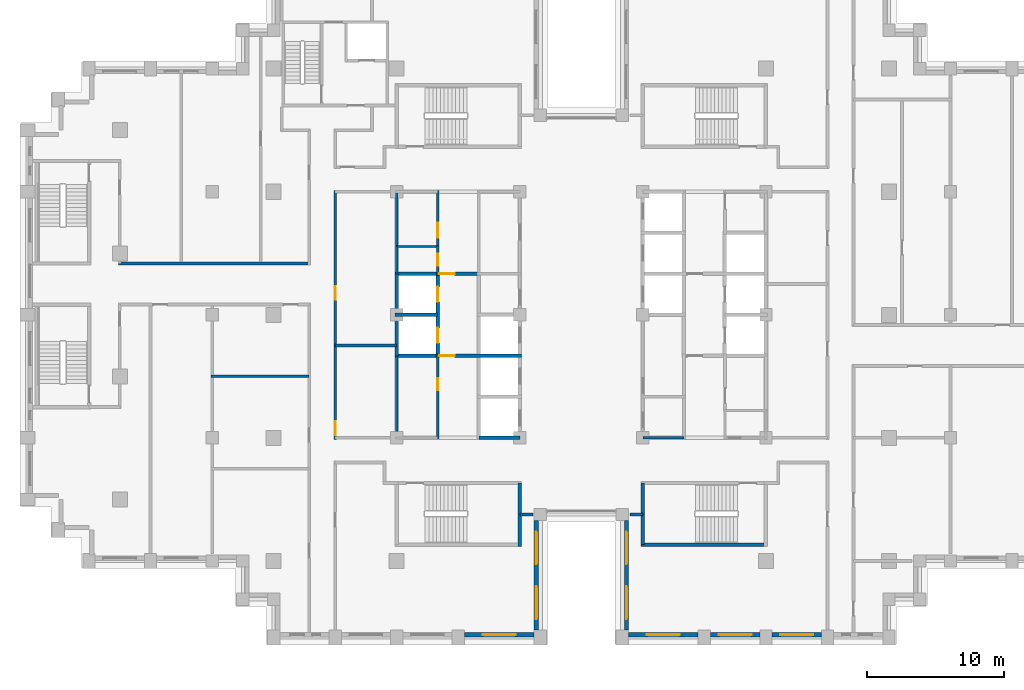
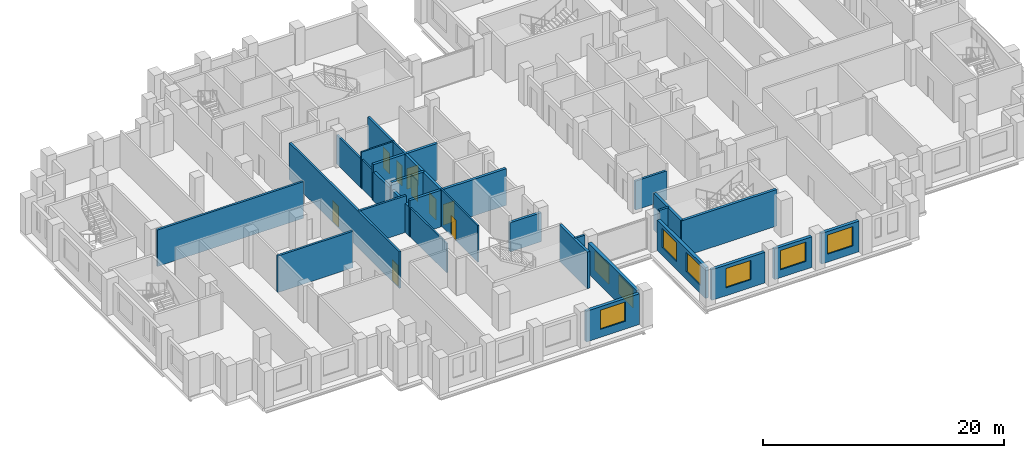
# One storey, part 7 of 16: 29 walls, 9 doors, 8 windows, 17 openings.
"""IFC4 building model written with IfcOpenShell, lengths in metres."""

from ifc_helpers import new_model, si_unit, direction, frame, frame_2d, origin, place, context, subcontext, project, spatial, rectangle, extrude, material, layer, layer_set, type_object, element, fill, save


model = new_model("IFC4")

# Units and contexts
model_context = context("Model", 3, precision=1e-05, world=origin(), true_north=direction((0.0, 1.0)))
body_context = subcontext(model_context, "Body", "Model", "MODEL_VIEW")
ifc_project = project(units=[si_unit("LENGTHUNIT", "METRE"), si_unit("AREAUNIT", "SQUARE_METRE"), si_unit("VOLUMEUNIT", "CUBIC_METRE"), si_unit("PLANEANGLEUNIT", "RADIAN"), si_unit("MASSUNIT", "GRAM", prefix="KILO")], contexts=[model_context])

# Site, building, storey
site_placement = place(None, origin())
site = spatial("IfcSite", under=ifc_project, at=site_placement, CompositionType="ELEMENT")
building_placement = place(site_placement, origin())
building = spatial("IfcBuilding", under=site, at=building_placement, Name="Corbelhall Arena Tower", CompositionType="ELEMENT")
storey_placement = place(building_placement, frame((0.0, 0.0, 150.0)))
storey = spatial("IfcBuildingStorey", under=building, at=storey_placement, Name="L29", CompositionType="ELEMENT", Elevation=150.0)

# Wall, opening, window
ifc_material_1 = material(Name="Precast concrete C40/50 with granite facing", Category="masonry")
ifc_layer_1 = layer(ifc_material_1, 0.300048828125)
ifc_layer_set_1 = layer_set([ifc_layer_1], Name="EV-IW1 Infill panel 300")
wall_type_1 = type_object("IfcWallType", Name="EV-IW1 Infill panel 300", PredefinedType="SOLIDWALL", material=ifc_layer_set_1)
wall_1_placement = place(storey_placement, frame((-8.550048828125, -23.39990234375, 0.0), z_axis=(0.0, 0.0, 1.0), x_axis=(1.0, 0.0, 0.0)))
wall_1 = element("IfcWall", 1, at=wall_1_placement, inside=storey, type_object=wall_type_1, Name="Infill panel IW1", PredefinedType="SOLIDWALL", context=body_context, shape_type="SweptSolid", body=[
    extrude(rectangle(XDim=5.10009765625, YDim=0.300048828125, at=frame_2d((2.550048828125, 0.0))), origin(), (0.0, 0.0, 1.0), 3.10009765625),
])
opening_1_placement = place(wall_1_placement, frame((1.35009765625, 0.0, 0.800048828125)))
opening_1 = element("IfcOpeningElement", 2, at=opening_1_placement, cuts=wall_1, Name="Opening WN1", PredefinedType="OPENING", context=body_context, shape_type="SweptSolid", body=[
    extrude(rectangle(XDim=2.39990234375, YDim=1.949951171875, at=frame_2d((1.199951171875, 0.97509765625))), frame((0.0, 0.14990234375, 0.0), z_axis=(0.0, -1.0, 0.0), x_axis=(1.0, 0.0, 0.0)), (0.0, 0.0, 1.0), 0.300048828125),
])
ifc_material_2 = material(Name="Aluminium black anodised", Category="aluminium")
window_type = type_object("IfcWindowType", Name="EV-WN1 Office window", PartitioningType="SINGLE_PANEL", PredefinedType="WINDOW", material=ifc_material_2)
window_1_placement = place(opening_1_placement, origin())
window_1 = element("IfcWindow", 3, at=window_1_placement, inside=storey, type_object=window_type, Name="Window WN1", OverallHeight=1.949951171875, OverallWidth=2.39990234375, PartitioningType="SINGLE_PANEL", PredefinedType="WINDOW", context=body_context, shape_type="SweptSolid", body=[
    extrude(rectangle(XDim=2.39990234375, YDim=1.949951171875, at=frame_2d((1.199951171875, 0.97509765625))), frame((0.0, 0.030029296875, 0.0), z_axis=(0.0, -1.0, 0.0), x_axis=(1.0, 0.0, 0.0)), (0.0, 0.0, 1.0), 0.06005859375),
])
fill(opening_1, window_1)

# Wall, openings, windows
wall_2_placement = place(storey_placement, frame((-3.300048828125, -23.050048828125, 0.0), z_axis=(0.0, 0.0, 1.0), x_axis=(0.0, 1.0, 0.0)))
wall_2 = element("IfcWall", 4, at=wall_2_placement, inside=storey, type_object=wall_type_1, Name="Infill panel IW1", PredefinedType="SOLIDWALL", context=body_context, shape_type="SweptSolid", body=[
    extrude(rectangle(XDim=8.0, YDim=0.300048828125, at=frame_2d((4.0, 0.0))), origin(), (0.0, 0.0, 1.0), 3.10009765625),
])
opening_2_placement = place(wall_2_placement, frame((0.800048828125, 0.0, 0.800048828125)))
opening_2 = element("IfcOpeningElement", 5, at=opening_2_placement, cuts=wall_2, Name="Opening WN1", PredefinedType="OPENING", context=body_context, shape_type="SweptSolid", body=[
    extrude(rectangle(XDim=2.39990234375, YDim=1.949951171875, at=frame_2d((1.199951171875, 0.97509765625))), frame((0.0, 0.14990234375, 0.0), z_axis=(0.0, -1.0, 0.0), x_axis=(1.0, 0.0, 0.0)), (0.0, 0.0, 1.0), 0.300048828125),
])
opening_3_placement = place(wall_2_placement, frame((4.800048828125, 0.0, 0.800048828125)))
opening_3 = element("IfcOpeningElement", 6, at=opening_3_placement, cuts=wall_2, Name="Opening WN1", PredefinedType="OPENING", context=body_context, shape_type="SweptSolid", body=[
    extrude(rectangle(XDim=2.39990234375, YDim=1.949951171875, at=frame_2d((1.199951171875, 0.97509765625))), frame((0.0, 0.14990234375, 0.0), z_axis=(0.0, -1.0, 0.0), x_axis=(1.0, 0.0, 0.0)), (0.0, 0.0, 1.0), 0.300048828125),
])
window_2_placement = place(opening_2_placement, origin())
window_2 = element("IfcWindow", 7, at=window_2_placement, inside=storey, type_object=window_type, Name="Window WN1", OverallHeight=1.949951171875, OverallWidth=2.39990234375, PartitioningType="SINGLE_PANEL", PredefinedType="WINDOW", context=body_context, shape_type="SweptSolid", body=[
    extrude(rectangle(XDim=2.39990234375, YDim=1.949951171875, at=frame_2d((1.199951171875, 0.97509765625))), frame((0.0, 0.030029296875, 0.0), z_axis=(0.0, -1.0, 0.0), x_axis=(1.0, 0.0, 0.0)), (0.0, 0.0, 1.0), 0.06005859375),
])
fill(opening_2, window_2)
window_3_placement = place(opening_3_placement, origin())
window_3 = element("IfcWindow", 8, at=window_3_placement, inside=storey, type_object=window_type, Name="Window WN1", OverallHeight=1.949951171875, OverallWidth=2.39990234375, PartitioningType="SINGLE_PANEL", PredefinedType="WINDOW", context=body_context, shape_type="SweptSolid", body=[
    extrude(rectangle(XDim=2.39990234375, YDim=1.949951171875, at=frame_2d((1.199951171875, 0.97509765625))), frame((0.0, 0.030029296875, 0.0), z_axis=(0.0, -1.0, 0.0), x_axis=(1.0, 0.0, 0.0)), (0.0, 0.0, 1.0), 0.06005859375),
])
fill(opening_3, window_3)

wall_3_placement = place(storey_placement, frame((3.300048828125, -15.050048828125, 0.0), z_axis=(0.0, 0.0, 1.0), x_axis=(0.0, -1.0, 0.0)))
wall_3 = element("IfcWall", 9, at=wall_3_placement, inside=storey, type_object=wall_type_1, Name="Infill panel IW1", PredefinedType="SOLIDWALL", context=body_context, shape_type="SweptSolid", body=[
    extrude(rectangle(XDim=8.0, YDim=0.300048828125, at=frame_2d((4.0, 0.0))), origin(), (0.0, 0.0, 1.0), 3.10009765625),
])
opening_4_placement = place(wall_3_placement, frame((0.800048828125, 0.0, 0.800048828125)))
opening_4 = element("IfcOpeningElement", 10, at=opening_4_placement, cuts=wall_3, Name="Opening WN1", PredefinedType="OPENING", context=body_context, shape_type="SweptSolid", body=[
    extrude(rectangle(XDim=2.39990234375, YDim=1.949951171875, at=frame_2d((1.199951171875, 0.97509765625))), frame((0.0, 0.14990234375, 0.0), z_axis=(0.0, -1.0, 0.0), x_axis=(1.0, 0.0, 0.0)), (0.0, 0.0, 1.0), 0.300048828125),
])
opening_5_placement = place(wall_3_placement, frame((4.800048828125, 0.0, 0.800048828125)))
opening_5 = element("IfcOpeningElement", 11, at=opening_5_placement, cuts=wall_3, Name="Opening WN1", PredefinedType="OPENING", context=body_context, shape_type="SweptSolid", body=[
    extrude(rectangle(XDim=2.39990234375, YDim=1.949951171875, at=frame_2d((1.199951171875, 0.97509765625))), frame((0.0, 0.14990234375, 0.0), z_axis=(0.0, -1.0, 0.0), x_axis=(1.0, 0.0, 0.0)), (0.0, 0.0, 1.0), 0.300048828125),
])
window_4_placement = place(opening_4_placement, origin())
window_4 = element("IfcWindow", 12, at=window_4_placement, inside=storey, type_object=window_type, Name="Window WN1", OverallHeight=1.949951171875, OverallWidth=2.39990234375, PartitioningType="SINGLE_PANEL", PredefinedType="WINDOW", context=body_context, shape_type="SweptSolid", body=[
    extrude(rectangle(XDim=2.39990234375, YDim=1.949951171875, at=frame_2d((1.199951171875, 0.97509765625))), frame((0.0, 0.030029296875, 0.0), z_axis=(0.0, -1.0, 0.0), x_axis=(1.0, 0.0, 0.0)), (0.0, 0.0, 1.0), 0.06005859375),
])
fill(opening_4, window_4)
window_5_placement = place(opening_5_placement, origin())
window_5 = element("IfcWindow", 13, at=window_5_placement, inside=storey, type_object=window_type, Name="Window WN1", OverallHeight=1.949951171875, OverallWidth=2.39990234375, PartitioningType="SINGLE_PANEL", PredefinedType="WINDOW", context=body_context, shape_type="SweptSolid", body=[
    extrude(rectangle(XDim=2.39990234375, YDim=1.949951171875, at=frame_2d((1.199951171875, 0.97509765625))), frame((0.0, 0.030029296875, 0.0), z_axis=(0.0, -1.0, 0.0), x_axis=(1.0, 0.0, 0.0)), (0.0, 0.0, 1.0), 0.06005859375),
])
fill(opening_5, window_5)

# Wall, opening, window
wall_4_placement = place(storey_placement, frame((3.449951171875, -23.39990234375, 0.0), z_axis=(0.0, 0.0, 1.0), x_axis=(1.0, 0.0, 0.0)))
wall_4 = element("IfcWall", 14, at=wall_4_placement, inside=storey, type_object=wall_type_1, Name="Infill panel IW1", PredefinedType="SOLIDWALL", context=body_context, shape_type="SweptSolid", body=[
    extrude(rectangle(XDim=5.10009765625, YDim=0.300048828125, at=frame_2d((2.550048828125, 0.0))), origin(), (0.0, 0.0, 1.0), 3.10009765625),
])
opening_6_placement = place(wall_4_placement, frame((1.35009765625, 0.0, 0.800048828125)))
opening_6 = element("IfcOpeningElement", 15, at=opening_6_placement, cuts=wall_4, Name="Opening WN1", PredefinedType="OPENING", context=body_context, shape_type="SweptSolid", body=[
    extrude(rectangle(XDim=2.39990234375, YDim=1.949951171875, at=frame_2d((1.199951171875, 0.97509765625))), frame((0.0, 0.14990234375, 0.0), z_axis=(0.0, -1.0, 0.0), x_axis=(1.0, 0.0, 0.0)), (0.0, 0.0, 1.0), 0.300048828125),
])
window_6_placement = place(opening_6_placement, origin())
window_6 = element("IfcWindow", 16, at=window_6_placement, inside=storey, type_object=window_type, Name="Window WN1", OverallHeight=1.949951171875, OverallWidth=2.39990234375, PartitioningType="SINGLE_PANEL", PredefinedType="WINDOW", context=body_context, shape_type="SweptSolid", body=[
    extrude(rectangle(XDim=2.39990234375, YDim=1.949951171875, at=frame_2d((1.199951171875, 0.97509765625))), frame((0.0, 0.030029296875, 0.0), z_axis=(0.0, -1.0, 0.0), x_axis=(1.0, 0.0, 0.0)), (0.0, 0.0, 1.0), 0.06005859375),
])
fill(opening_6, window_6)

wall_5_placement = place(storey_placement, frame((9.449951171875, -23.39990234375, 0.0), z_axis=(0.0, 0.0, 1.0), x_axis=(1.0, 0.0, 0.0)))
wall_5 = element("IfcWall", 17, at=wall_5_placement, inside=storey, type_object=wall_type_1, Name="Infill panel IW1", PredefinedType="SOLIDWALL", context=body_context, shape_type="SweptSolid", body=[
    extrude(rectangle(XDim=3.60009765625, YDim=0.300048828125, at=frame_2d((1.800048828125, 0.0))), origin(), (0.0, 0.0, 1.0), 3.10009765625),
])
opening_7_placement = place(wall_5_placement, frame((0.60009765625, 0.0, 0.800048828125)))
opening_7 = element("IfcOpeningElement", 18, at=opening_7_placement, cuts=wall_5, Name="Opening WN1", PredefinedType="OPENING", context=body_context, shape_type="SweptSolid", body=[
    extrude(rectangle(XDim=2.39990234375, YDim=1.949951171875, at=frame_2d((1.199951171875, 0.97509765625))), frame((0.0, 0.14990234375, 0.0), z_axis=(0.0, -1.0, 0.0), x_axis=(1.0, 0.0, 0.0)), (0.0, 0.0, 1.0), 0.300048828125),
])
window_7_placement = place(opening_7_placement, origin())
window_7 = element("IfcWindow", 19, at=window_7_placement, inside=storey, type_object=window_type, Name="Window WN1", OverallHeight=1.949951171875, OverallWidth=2.39990234375, PartitioningType="SINGLE_PANEL", PredefinedType="WINDOW", context=body_context, shape_type="SweptSolid", body=[
    extrude(rectangle(XDim=2.39990234375, YDim=1.949951171875, at=frame_2d((1.199951171875, 0.97509765625))), frame((0.0, 0.030029296875, 0.0), z_axis=(0.0, -1.0, 0.0), x_axis=(1.0, 0.0, 0.0)), (0.0, 0.0, 1.0), 0.06005859375),
])
fill(opening_7, window_7)

wall_6_placement = place(storey_placement, frame((13.949951171875, -23.39990234375, 0.0), z_axis=(0.0, 0.0, 1.0), x_axis=(1.0, 0.0, 0.0)))
wall_6 = element("IfcWall", 20, at=wall_6_placement, inside=storey, type_object=wall_type_1, Name="Infill panel IW1", PredefinedType="SOLIDWALL", context=body_context, shape_type="SweptSolid", body=[
    extrude(rectangle(XDim=3.60009765625, YDim=0.300048828125, at=frame_2d((1.800048828125, 0.0))), origin(), (0.0, 0.0, 1.0), 3.10009765625),
])
opening_8_placement = place(wall_6_placement, frame((0.60009765625, 0.0, 0.800048828125)))
opening_8 = element("IfcOpeningElement", 21, at=opening_8_placement, cuts=wall_6, Name="Opening WN1", PredefinedType="OPENING", context=body_context, shape_type="SweptSolid", body=[
    extrude(rectangle(XDim=2.39990234375, YDim=1.949951171875, at=frame_2d((1.199951171875, 0.97509765625))), frame((0.0, 0.14990234375, 0.0), z_axis=(0.0, -1.0, 0.0), x_axis=(1.0, 0.0, 0.0)), (0.0, 0.0, 1.0), 0.300048828125),
])
window_8_placement = place(opening_8_placement, origin())
window_8 = element("IfcWindow", 22, at=window_8_placement, inside=storey, type_object=window_type, Name="Window WN1", OverallHeight=1.949951171875, OverallWidth=2.39990234375, PartitioningType="SINGLE_PANEL", PredefinedType="WINDOW", context=body_context, shape_type="SweptSolid", body=[
    extrude(rectangle(XDim=2.39990234375, YDim=1.949951171875, at=frame_2d((1.199951171875, 0.97509765625))), frame((0.0, 0.030029296875, 0.0), z_axis=(0.0, -1.0, 0.0), x_axis=(1.0, 0.0, 0.0)), (0.0, 0.0, 1.0), 0.06005859375),
])
fill(opening_8, window_8)

# Walls
ifc_material_3 = material(Name="Gypsum board on steel stud, acoustic", Category="steel")
ifc_layer_2 = layer(ifc_material_3, 0.199951171875)
ifc_layer_set_2 = layer_set([ifc_layer_2], Name="IN-W-DM200")
wall_type_2 = type_object("IfcWallType", Name="IN-W-DM200", PredefinedType="PARTITIONING", material=ifc_layer_set_2)
wall_7_placement = place(storey_placement, frame((-33.85009765625, 3.75, 0.0), z_axis=(0.0, 0.0, 1.0), x_axis=(1.0, 0.0, 0.0)))
element("IfcWall", 23, at=wall_7_placement, inside=storey, type_object=wall_type_2, Name="Partition 002", PredefinedType="PARTITIONING", context=body_context, shape_type="SweptSolid", body=[
    extrude(rectangle(XDim=13.9501953125, YDim=0.199951171875, at=frame_2d((6.97509765625, 0.0))), origin(), (0.0, 0.0, 1.0), 3.699951171875),
])
wall_8_placement = place(storey_placement, frame((-27.10009765625, -4.5, 0.0), z_axis=(0.0, 0.0, 1.0), x_axis=(1.0, 0.0, 0.0)))
element("IfcWall", 24, at=wall_8_placement, inside=storey, type_object=wall_type_2, Name="Partition 010", PredefinedType="PARTITIONING", context=body_context, shape_type="SweptSolid", body=[
    extrude(rectangle(XDim=7.2001953125, YDim=0.199951171875, at=frame_2d((3.60009765625, 0.0))), origin(), (0.0, 0.0, 1.0), 3.699951171875),
])
wall_9_placement = place(storey_placement, frame((-18.0, -2.25, 0.0), z_axis=(0.0, 0.0, 1.0), x_axis=(1.0, 0.0, 0.0)))
element("IfcWall", 25, at=wall_9_placement, inside=storey, type_object=wall_type_2, Name="Partition 020", PredefinedType="PARTITIONING", context=body_context, shape_type="SweptSolid", body=[
    extrude(rectangle(XDim=4.5, YDim=0.199951171875, at=frame_2d((2.25, 0.0))), origin(), (0.0, 0.0, 1.0), 3.699951171875),
])

# Wall, openings, doors
wall_10_placement = place(storey_placement, frame((-18.0, 9.10009765625, 0.0), z_axis=(0.0, 0.0, 1.0), x_axis=(0.0, -1.0, 0.0)))
wall_10 = element("IfcWall", 26, at=wall_10_placement, inside=storey, type_object=wall_type_2, Name="Partition 021", PredefinedType="PARTITIONING", context=body_context, shape_type="SweptSolid", body=[
    extrude(rectangle(XDim=18.2001953125, YDim=0.199951171875, at=frame_2d((9.10009765625, 0.0))), origin(), (0.0, 0.0, 1.0), 3.699951171875),
])
opening_9_placement = place(wall_10_placement, frame((16.89990234375, 0.0, 0.0)))
opening_9 = element("IfcOpeningElement", 27, at=opening_9_placement, cuts=wall_10, Name="Opening 08023", PredefinedType="OPENING", context=body_context, shape_type="SweptSolid", body=[
    extrude(rectangle(XDim=1.0, YDim=2.10009765625, at=frame_2d((0.5, 1.050048828125))), frame((0.0, 0.10009765625, 0.0), z_axis=(0.0, -1.0, 0.0), x_axis=(1.0, 0.0, 0.0)), (0.0, 0.0, 1.0), 0.199951171875),
])
opening_10_placement = place(wall_10_placement, frame((7.0, 0.0, 0.0)))
opening_10 = element("IfcOpeningElement", 28, at=opening_10_placement, cuts=wall_10, Name="Opening 08024", PredefinedType="OPENING", context=body_context, shape_type="SweptSolid", body=[
    extrude(rectangle(XDim=1.0, YDim=2.10009765625, at=frame_2d((0.5, 1.050048828125))), frame((0.0, 0.10009765625, 0.0), z_axis=(0.0, -1.0, 0.0), x_axis=(1.0, 0.0, 0.0)), (0.0, 0.0, 1.0), 0.199951171875),
])
ifc_material_4 = material(Name="Steel door set", Category="steel")
door_type_1 = type_object("IfcDoorType", Name="IN-D-SW100", OperationType="NOTDEFINED", PredefinedType="DOOR", material=ifc_material_4)
door_1_placement = place(opening_9_placement, origin())
door_1 = element("IfcDoor", 29, at=door_1_placement, inside=storey, type_object=door_type_1, Name="Door 023", OperationType="SINGLE_SWING_RIGHT", OverallHeight=2.10009765625, OverallWidth=1.0, PredefinedType="DOOR", context=body_context, shape_type="SweptSolid", body=[
    extrude(rectangle(XDim=1.0, YDim=2.10009765625, at=frame_2d((0.5, 1.050048828125))), frame((0.0, 0.02490234375, 0.0), z_axis=(0.0, -1.0, 0.0), x_axis=(1.0, 0.0, 0.0)), (0.0, 0.0, 1.0), 0.050048828125),
])
fill(opening_9, door_1)
door_2_placement = place(opening_10_placement, origin())
door_2 = element("IfcDoor", 30, at=door_2_placement, inside=storey, type_object=door_type_1, Name="Door 024", OperationType="SINGLE_SWING_LEFT", OverallHeight=2.10009765625, OverallWidth=1.0, PredefinedType="DOOR", context=body_context, shape_type="SweptSolid", body=[
    extrude(rectangle(XDim=1.0, YDim=2.10009765625, at=frame_2d((0.5, 1.050048828125))), frame((0.0, 0.02490234375, 0.0), z_axis=(0.0, -1.0, 0.0), x_axis=(1.0, 0.0, 0.0)), (0.0, 0.0, 1.0), 0.050048828125),
])
fill(opening_10, door_2)

# Walls
for number, where, z_axis, x_axis, name in (
    (31, (-3.550048828125, -14.60009765625, 0.0), (0.0, 0.0, 1.0), (-1.0, 0.0, 0.0), "Partition 034"),
    (32, (4.5, -14.60009765625, 0.0), (0.0, 0.0, 1.0), (-1.0, 0.0, 0.0), "Partition 036"),
):
    element("IfcWall", number, at=place(storey_placement, frame(where, z_axis=z_axis, x_axis=x_axis)), inside=storey, type_object=wall_type_2, Name=name, PredefinedType="PARTITIONING", context=body_context, shape_type="SweptSolid", body=[
        extrude(rectangle(XDim=0.949951171875, YDim=0.199951171875, at=frame_2d((0.47509765625, 0.0))), origin(), (0.0, 0.0, 1.0), 3.699951171875),
    ])

# Wall, opening, door
ifc_material_5 = material(Name="Concrete block wall", Category="concrete")
ifc_layer_3 = layer(ifc_material_5, 0.199951171875)
ifc_layer_set_3 = layer_set([ifc_layer_3], Name="IN-W-RS200")
wall_type_3 = type_object("IfcWallType", Name="IN-W-RS200", PredefinedType="SOLIDWALL", material=ifc_layer_set_3)
wall_11_placement = place(storey_placement, frame((-10.5, 4.925048828125, 0.0), z_axis=(0.0, 0.0, 1.0), x_axis=(0.0, 1.0, 0.0)))
wall_11 = element("IfcWall", 33, at=wall_11_placement, inside=storey, type_object=wall_type_3, Name="Partition 066", PredefinedType="SOLIDWALL", context=body_context, shape_type="SweptSolid", body=[
    extrude(rectangle(XDim=4.175048828125, YDim=0.199951171875, at=frame_2d((2.08740234375, 0.0))), origin(), (0.0, 0.0, 1.0), 3.699951171875),
])
opening_11_placement = place(wall_11_placement, frame((0.699951171875, 0.0, 0.0)))
opening_11 = element("IfcOpeningElement", 34, at=opening_11_placement, cuts=wall_11, Name="Opening 08007", PredefinedType="OPENING", context=body_context, shape_type="SweptSolid", body=[
    extrude(rectangle(XDim=1.10009765625, YDim=2.10009765625, at=frame_2d((0.550048828125, 1.050048828125))), frame((0.0, 0.10009765625, 0.0), z_axis=(0.0, -1.0, 0.0), x_axis=(1.0, 0.0, 0.0)), (0.0, 0.0, 1.0), 0.199951171875),
])
door_type_2 = type_object("IfcDoorType", Name="IN-D-FD110", OperationType="NOTDEFINED", PredefinedType="DOOR", material=ifc_material_4)
door_3_placement = place(opening_11_placement, origin())
door_3 = element("IfcDoor", 35, at=door_3_placement, inside=storey, type_object=door_type_2, Name="Door 007", OperationType="SINGLE_SWING_RIGHT", OverallHeight=2.10009765625, OverallWidth=1.10009765625, PredefinedType="DOOR", context=body_context, shape_type="SweptSolid", body=[
    extrude(rectangle(XDim=1.10009765625, YDim=2.10009765625, at=frame_2d((0.550048828125, 1.050048828125))), frame((0.0, 0.02490234375, 0.0), z_axis=(0.0, -1.0, 0.0), x_axis=(1.0, 0.0, 0.0)), (0.0, 0.0, 1.0), 0.050048828125),
])
fill(opening_11, door_3)

# Walls
ifc_layer_4 = layer(ifc_material_5, 0.199951171875)
ifc_layer_set_4 = layer_set([ifc_layer_4], Name="IN-W-RS200 under beam 762 mm")
wall_type_4 = type_object("IfcWallType", Name="IN-W-RS200 under beam 762 mm", PredefinedType="SOLIDWALL", material=ifc_layer_set_4)
wall_12_placement = place(storey_placement, frame((-13.5, 5.0, 0.0), z_axis=(0.0, 0.0, 1.0), x_axis=(0.0, 1.0, 0.0)))
element("IfcWall", 36, at=wall_12_placement, inside=storey, type_object=wall_type_4, Name="Partition 065", PredefinedType="SOLIDWALL", context=body_context, shape_type="SweptSolid", body=[
    extrude(rectangle(XDim=4.10009765625, YDim=0.199951171875, at=frame_2d((2.050048828125, 0.0))), origin(), (0.0, 0.0, 1.0), 2.93798828125),
])
wall_13_placement = place(storey_placement, frame((7.5, -9.0, 0.0), z_axis=(0.0, 0.0, 1.0), x_axis=(-1.0, 0.0, 0.0)))
element("IfcWall", 37, at=wall_13_placement, inside=storey, type_object=wall_type_4, Name="Partition 073", PredefinedType="SOLIDWALL", context=body_context, shape_type="SweptSolid", body=[
    extrude(rectangle(XDim=3.0, YDim=0.199951171875, at=frame_2d((1.5, 0.0))), origin(), (0.0, 0.0, 1.0), 2.93798828125),
])
ifc_material_6 = material(Name="Concrete C40/50", Category="concrete")
ifc_layer_5 = layer(ifc_material_6, 0.25)
ifc_layer_set_5 = layer_set([ifc_layer_5], Name="IN-W-SH250")
wall_type_5 = type_object("IfcWallType", Name="IN-W-SH250", PredefinedType="SOLIDWALL", material=ifc_layer_set_5)
wall_14_placement = place(storey_placement, frame((-13.625, 0.0, 0.0), z_axis=(0.0, 0.0, 1.0), x_axis=(1.0, 0.0, 0.0)))
element("IfcWall", 38, at=wall_14_placement, inside=storey, type_object=wall_type_5, Name="Shaft wall 080", PredefinedType="SOLIDWALL", context=body_context, shape_type="SweptSolid", body=[
    extrude(rectangle(XDim=3.125, YDim=0.25, at=frame_2d((1.5625, 0.0))), origin(), (0.0, 0.0, 1.0), 3.699951171875),
])

# Wall, opening, door
wall_15_placement = place(storey_placement, frame((-13.625, 3.0, 0.0), z_axis=(0.0, 0.0, 1.0), x_axis=(1.0, 0.0, 0.0)))
wall_15 = element("IfcWall", 39, at=wall_15_placement, inside=storey, type_object=wall_type_5, Name="Shaft wall 081", PredefinedType="SOLIDWALL", context=body_context, shape_type="SweptSolid", body=[
    extrude(rectangle(XDim=6.125, YDim=0.25, at=frame_2d((3.0625, 0.0))), origin(), (0.0, 0.0, 1.0), 3.699951171875),
])
opening_12_placement = place(wall_15_placement, frame((3.25, 0.0, 0.0)))
opening_12 = element("IfcOpeningElement", 40, at=opening_12_placement, cuts=wall_15, Name="Opening 08004", PredefinedType="OPENING", context=body_context, shape_type="SweptSolid", body=[
    extrude(rectangle(XDim=1.10009765625, YDim=2.10009765625, at=frame_2d((0.550048828125, 1.050048828125))), frame((0.0, 0.125, 0.0), z_axis=(0.0, -1.0, 0.0), x_axis=(1.0, 0.0, 0.0)), (0.0, 0.0, 1.0), 0.25),
])
door_4_placement = place(opening_12_placement, origin())
door_4 = element("IfcDoor", 41, at=door_4_placement, inside=storey, type_object=door_type_2, Name="Door 004", OperationType="SINGLE_SWING_LEFT", OverallHeight=2.10009765625, OverallWidth=1.10009765625, PredefinedType="DOOR", context=body_context, shape_type="SweptSolid", body=[
    extrude(rectangle(XDim=1.10009765625, YDim=2.10009765625, at=frame_2d((0.550048828125, 1.050048828125))), frame((0.0, 0.02490234375, 0.0), z_axis=(0.0, -1.0, 0.0), x_axis=(1.0, 0.0, 0.0)), (0.0, 0.0, 1.0), 0.050048828125),
])
fill(opening_12, door_4)

wall_16_placement = place(storey_placement, frame((-13.625, -3.0, 0.0), z_axis=(0.0, 0.0, 1.0), x_axis=(1.0, 0.0, 0.0)))
wall_16 = element("IfcWall", 42, at=wall_16_placement, inside=storey, type_object=wall_type_5, Name="Shaft wall 083", PredefinedType="SOLIDWALL", context=body_context, shape_type="SweptSolid", body=[
    extrude(rectangle(XDim=9.25, YDim=0.25, at=frame_2d((4.625, 0.0))), origin(), (0.0, 0.0, 1.0), 3.699951171875),
])
opening_13_placement = place(wall_16_placement, frame((3.25, 0.0, 0.0)))
opening_13 = element("IfcOpeningElement", 43, at=opening_13_placement, cuts=wall_16, Name="Opening 08003", PredefinedType="OPENING", context=body_context, shape_type="SweptSolid", body=[
    extrude(rectangle(XDim=1.10009765625, YDim=2.10009765625, at=frame_2d((0.550048828125, 1.050048828125))), frame((0.0, 0.125, 0.0), z_axis=(0.0, -1.0, 0.0), x_axis=(1.0, 0.0, 0.0)), (0.0, 0.0, 1.0), 0.25),
])
door_5_placement = place(opening_13_placement, origin())
door_5 = element("IfcDoor", 44, at=door_5_placement, inside=storey, type_object=door_type_2, Name="Door 003", OperationType="SINGLE_SWING_RIGHT", OverallHeight=2.10009765625, OverallWidth=1.10009765625, PredefinedType="DOOR", context=body_context, shape_type="SweptSolid", body=[
    extrude(rectangle(XDim=1.10009765625, YDim=2.10009765625, at=frame_2d((0.550048828125, 1.050048828125))), frame((0.0, 0.02490234375, 0.0), z_axis=(0.0, -1.0, 0.0), x_axis=(1.0, 0.0, 0.0)), (0.0, 0.0, 1.0), 0.050048828125),
])
fill(opening_13, door_5)

# Wall, openings, doors
wall_17_placement = place(storey_placement, frame((-10.5, -3.125, 0.0), z_axis=(0.0, 0.0, 1.0), x_axis=(0.0, 1.0, 0.0)))
wall_17 = element("IfcWall", 45, at=wall_17_placement, inside=storey, type_object=wall_type_5, Name="Shaft wall 084", PredefinedType="SOLIDWALL", context=body_context, shape_type="SweptSolid", body=[
    extrude(rectangle(XDim=6.25, YDim=0.25, at=frame_2d((3.125, 0.0))), origin(), (0.0, 0.0, 1.0), 3.699951171875),
])
opening_14_placement = place(wall_17_placement, frame((1.074951171875, 0.0, 0.0)))
opening_14 = element("IfcOpeningElement", 46, at=opening_14_placement, cuts=wall_17, Name="Opening LD", PredefinedType="OPENING", context=body_context, shape_type="SweptSolid", body=[
    extrude(rectangle(XDim=1.10009765625, YDim=2.10009765625, at=frame_2d((0.550048828125, 1.050048828125))), frame((0.0, 0.125, 0.0), z_axis=(0.0, -1.0, 0.0), x_axis=(1.0, 0.0, 0.0)), (0.0, 0.0, 1.0), 0.25),
])
opening_15_placement = place(wall_17_placement, frame((4.074951171875, 0.0, 0.0)))
opening_15 = element("IfcOpeningElement", 47, at=opening_15_placement, cuts=wall_17, Name="Opening LD", PredefinedType="OPENING", context=body_context, shape_type="SweptSolid", body=[
    extrude(rectangle(XDim=1.10009765625, YDim=2.10009765625, at=frame_2d((0.550048828125, 1.050048828125))), frame((0.0, 0.125, 0.0), z_axis=(0.0, -1.0, 0.0), x_axis=(1.0, 0.0, 0.0)), (0.0, 0.0, 1.0), 0.25),
])
door_type_3 = type_object("IfcDoorType", Name="IN-D-LD110", OperationType="NOTDEFINED", PredefinedType="DOOR", material=ifc_material_4)
door_6_placement = place(opening_14_placement, origin())
door_6 = element("IfcDoor", 48, at=door_6_placement, inside=storey, type_object=door_type_3, Name="Landing door W3", OperationType="SLIDING_TO_LEFT", OverallHeight=2.10009765625, OverallWidth=1.10009765625, PredefinedType="DOOR", context=body_context, shape_type="SweptSolid", body=[
    extrude(rectangle(XDim=1.10009765625, YDim=2.10009765625, at=frame_2d((0.550048828125, 1.050048828125))), frame((0.0, 0.02490234375, 0.0), z_axis=(0.0, -1.0, 0.0), x_axis=(1.0, 0.0, 0.0)), (0.0, 0.0, 1.0), 0.050048828125),
])
fill(opening_14, door_6)
door_7_placement = place(opening_15_placement, origin())
door_7 = element("IfcDoor", 49, at=door_7_placement, inside=storey, type_object=door_type_3, Name="Landing door W4", OperationType="SLIDING_TO_LEFT", OverallHeight=2.10009765625, OverallWidth=1.10009765625, PredefinedType="DOOR", context=body_context, shape_type="SweptSolid", body=[
    extrude(rectangle(XDim=1.10009765625, YDim=2.10009765625, at=frame_2d((0.550048828125, 1.050048828125))), frame((0.0, 0.02490234375, 0.0), z_axis=(0.0, -1.0, 0.0), x_axis=(1.0, 0.0, 0.0)), (0.0, 0.0, 1.0), 0.050048828125),
])
fill(opening_15, door_7)

# Walls
ifc_layer_6 = layer(ifc_material_6, 0.25)
ifc_layer_set_6 = layer_set([ifc_layer_6], Name="IN-W-SH250 under beam 762 mm")
wall_type_6 = type_object("IfcWallType", Name="IN-W-SH250 under beam 762 mm", PredefinedType="SOLIDWALL", material=ifc_layer_set_6)
wall_18_placement = place(storey_placement, frame((-13.5, -3.0, 0.0), z_axis=(0.0, 0.0, 1.0), x_axis=(0.0, 1.0, 0.0)))
element("IfcWall", 50, at=wall_18_placement, inside=storey, type_object=wall_type_6, Name="Shaft wall 082", PredefinedType="SOLIDWALL", context=body_context, shape_type="SweptSolid", body=[
    extrude(rectangle(XDim=6.0, YDim=0.25, at=frame_2d((3.0, 0.0))), origin(), (0.0, 0.0, 1.0), 2.93798828125),
])
wall_19_placement = place(storey_placement, frame((-4.5, -9.0, 0.0), z_axis=(0.0, 0.0, 1.0), x_axis=(-1.0, 0.0, 0.0)))
element("IfcWall", 51, at=wall_19_placement, inside=storey, type_object=wall_type_6, Name="Shaft wall 088", PredefinedType="SOLIDWALL", context=body_context, shape_type="SweptSolid", body=[
    extrude(rectangle(XDim=3.0, YDim=0.25, at=frame_2d((1.5, 0.0))), origin(), (0.0, 0.0, 1.0), 2.93798828125),
])
ifc_layer_7 = layer(ifc_material_6, 0.25)
ifc_layer_set_7 = layer_set([ifc_layer_7], Name="IN-W-ST250")
wall_type_7 = type_object("IfcWallType", Name="IN-W-ST250", PredefinedType="SOLIDWALL", material=ifc_layer_set_7)
wall_20_placement = place(storey_placement, frame((-4.5, -12.300048828125, 0.0), z_axis=(0.0, 0.0, 1.0), x_axis=(0.0, -1.0, 0.0)))
element("IfcWall", 52, at=wall_20_placement, inside=storey, type_object=wall_type_7, Name="Shaft wall 112", PredefinedType="SOLIDWALL", context=body_context, shape_type="SweptSolid", body=[
    extrude(rectangle(XDim=4.625, YDim=0.25, at=frame_2d((2.3125, 0.0))), origin(), (0.0, 0.0, 1.0), 3.699951171875),
])
wall_21_placement = place(storey_placement, frame((4.5, -16.800048828125, 0.0), z_axis=(0.0, 0.0, 1.0), x_axis=(0.0, 1.0, 0.0)))
element("IfcWall", 53, at=wall_21_placement, inside=storey, type_object=wall_type_7, Name="Shaft wall 117", PredefinedType="SOLIDWALL", context=body_context, shape_type="SweptSolid", body=[
    extrude(rectangle(XDim=4.5, YDim=0.25, at=frame_2d((2.25, 0.0))), origin(), (0.0, 0.0, 1.0), 3.699951171875),
])
wall_22_placement = place(storey_placement, frame((13.5, -16.800048828125, 0.0), z_axis=(0.0, 0.0, 1.0), x_axis=(-1.0, 0.0, 0.0)))
element("IfcWall", 54, at=wall_22_placement, inside=storey, type_object=wall_type_7, Name="Shaft wall 119", PredefinedType="SOLIDWALL", context=body_context, shape_type="SweptSolid", body=[
    extrude(rectangle(XDim=9.125, YDim=0.25, at=frame_2d((4.5625, 0.0))), origin(), (0.0, 0.0, 1.0), 3.699951171875),
])
ifc_material_7 = material(Name="Gypsum board on steel stud, moisture resistant", Category="steel")
ifc_layer_8 = layer(ifc_material_7, 0.14990234375)
ifc_layer_set_8 = layer_set([ifc_layer_8], Name="IN-W-WC150")
wall_type_8 = type_object("IfcWallType", Name="IN-W-WC150", PredefinedType="PARTITIONING", material=ifc_layer_set_8)
wall_23_placement = place(storey_placement, frame((-13.60009765625, 5.0, 0.0), z_axis=(0.0, 0.0, 1.0), x_axis=(1.0, 0.0, 0.0)))
element("IfcWall", 55, at=wall_23_placement, inside=storey, type_object=wall_type_8, Name="Partition 129", PredefinedType="PARTITIONING", context=body_context, shape_type="SweptSolid", body=[
    extrude(rectangle(XDim=3.10009765625, YDim=0.14990234375, at=frame_2d((1.550048828125, 0.0))), origin(), (0.0, 0.0, 1.0), 3.699951171875),
])

# Wall, opening, door
wall_24_placement = place(storey_placement, frame((-10.5, -9.074951171875, 0.0), z_axis=(0.0, 0.0, 1.0), x_axis=(0.0, 1.0, 0.0)))
wall_24 = element("IfcWall", 56, at=wall_24_placement, inside=storey, type_object=wall_type_8, Name="Partition 132", PredefinedType="PARTITIONING", context=body_context, shape_type="SweptSolid", body=[
    extrude(rectangle(XDim=6.199951171875, YDim=0.14990234375, at=frame_2d((3.10009765625, 0.0))), origin(), (0.0, 0.0, 1.0), 3.699951171875),
])
opening_16_placement = place(wall_24_placement, frame((3.550048828125, 0.0, 0.0)))
opening_16 = element("IfcOpeningElement", 57, at=opening_16_placement, cuts=wall_24, Name="Opening 08005", PredefinedType="OPENING", context=body_context, shape_type="SweptSolid", body=[
    extrude(rectangle(XDim=0.89990234375, YDim=2.10009765625, at=frame_2d((0.449951171875, 1.050048828125))), frame((0.0, 0.074951171875, 0.0), z_axis=(0.0, -1.0, 0.0), x_axis=(1.0, 0.0, 0.0)), (0.0, 0.0, 1.0), 0.14990234375),
])
ifc_material_8 = material(Name="Timber door set", Category="wood")
door_type_4 = type_object("IfcDoorType", Name="IN-D-SW90", OperationType="NOTDEFINED", PredefinedType="DOOR", material=ifc_material_8)
door_8_placement = place(opening_16_placement, origin())
door_8 = element("IfcDoor", 58, at=door_8_placement, inside=storey, type_object=door_type_4, Name="Door 005", OperationType="SINGLE_SWING_RIGHT", OverallHeight=2.10009765625, OverallWidth=0.89990234375, PredefinedType="DOOR", context=body_context, shape_type="SweptSolid", body=[
    extrude(rectangle(XDim=0.89990234375, YDim=2.10009765625, at=frame_2d((0.449951171875, 1.050048828125))), frame((0.0, 0.02490234375, 0.0), z_axis=(0.0, -1.0, 0.0), x_axis=(1.0, 0.0, 0.0)), (0.0, 0.0, 1.0), 0.050048828125),
])
fill(opening_16, door_8)

wall_25_placement = place(storey_placement, frame((-10.5, 2.875, 0.0), z_axis=(0.0, 0.0, 1.0), x_axis=(0.0, 1.0, 0.0)))
wall_25 = element("IfcWall", 59, at=wall_25_placement, inside=storey, type_object=wall_type_8, Name="Partition 134", PredefinedType="PARTITIONING", context=body_context, shape_type="SweptSolid", body=[
    extrude(rectangle(XDim=2.199951171875, YDim=0.14990234375, at=frame_2d((1.10009765625, 0.0))), origin(), (0.0, 0.0, 1.0), 3.699951171875),
])
opening_17_placement = place(wall_25_placement, frame((0.699951171875, 0.0, 0.0)))
opening_17 = element("IfcOpeningElement", 60, at=opening_17_placement, cuts=wall_25, Name="Opening 08006", PredefinedType="OPENING", context=body_context, shape_type="SweptSolid", body=[
    extrude(rectangle(XDim=0.89990234375, YDim=2.10009765625, at=frame_2d((0.449951171875, 1.050048828125))), frame((0.0, 0.074951171875, 0.0), z_axis=(0.0, -1.0, 0.0), x_axis=(1.0, 0.0, 0.0)), (0.0, 0.0, 1.0), 0.14990234375),
])
door_9_placement = place(opening_17_placement, origin())
door_9 = element("IfcDoor", 61, at=door_9_placement, inside=storey, type_object=door_type_4, Name="Door 006", OperationType="SINGLE_SWING_LEFT", OverallHeight=2.10009765625, OverallWidth=0.89990234375, PredefinedType="DOOR", context=body_context, shape_type="SweptSolid", body=[
    extrude(rectangle(XDim=0.89990234375, YDim=2.10009765625, at=frame_2d((0.449951171875, 1.050048828125))), frame((0.0, 0.02490234375, 0.0), z_axis=(0.0, -1.0, 0.0), x_axis=(1.0, 0.0, 0.0)), (0.0, 0.0, 1.0), 0.050048828125),
])
fill(opening_17, door_9)

# Walls
ifc_layer_9 = layer(ifc_material_7, 0.14990234375)
ifc_layer_set_9 = layer_set([ifc_layer_9], Name="IN-W-WC150 under beam 762 mm")
wall_type_9 = type_object("IfcWallType", Name="IN-W-WC150 under beam 762 mm", PredefinedType="PARTITIONING", material=ifc_layer_set_9)
wall_26_placement = place(storey_placement, frame((-13.5, -9.10009765625, 0.0), z_axis=(0.0, 0.0, 1.0), x_axis=(0.0, 1.0, 0.0)))
element("IfcWall", 62, at=wall_26_placement, inside=storey, type_object=wall_type_9, Name="Partition 130", PredefinedType="PARTITIONING", context=body_context, shape_type="SweptSolid", body=[
    extrude(rectangle(XDim=6.10009765625, YDim=0.14990234375, at=frame_2d((3.050048828125, 0.0))), origin(), (0.0, 0.0, 1.0), 2.93798828125),
])
wall_27_placement = place(storey_placement, frame((-13.5, 3.0, 0.0), z_axis=(0.0, 0.0, 1.0), x_axis=(0.0, 1.0, 0.0)))
element("IfcWall", 63, at=wall_27_placement, inside=storey, type_object=wall_type_9, Name="Partition 131", PredefinedType="PARTITIONING", context=body_context, shape_type="SweptSolid", body=[
    extrude(rectangle(XDim=2.0, YDim=0.14990234375, at=frame_2d((1.0, 0.0))), origin(), (0.0, 0.0, 1.0), 2.93798828125),
])

save(model, "model.ifc")
